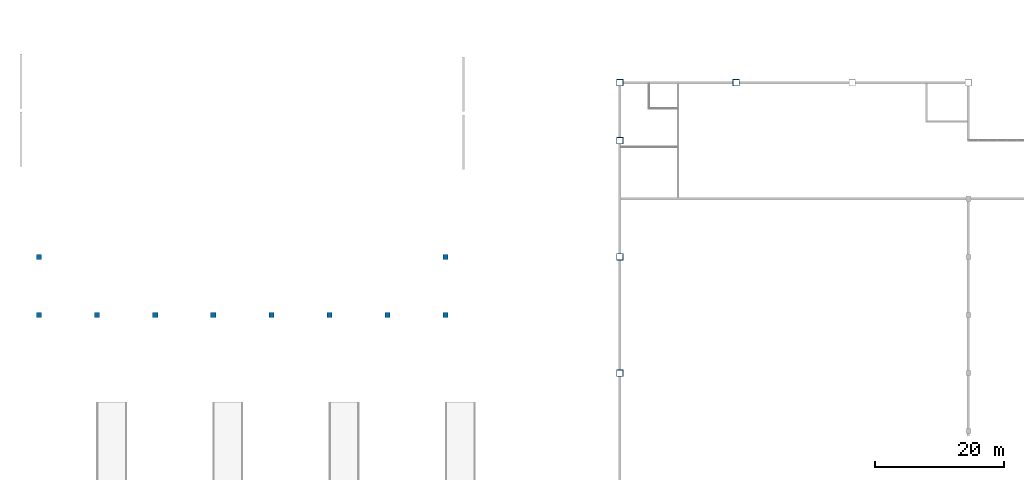
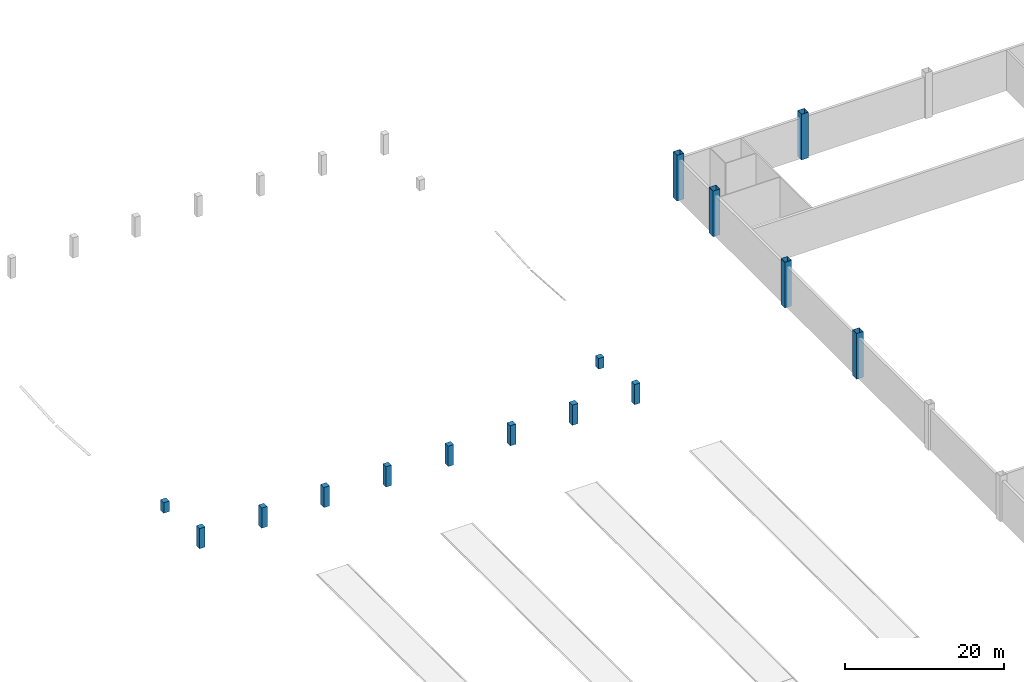
# One storey, part 2 of 85: 15 columns.
"""IFC4 building model written with IfcOpenShell, lengths in metres."""

from ifc_helpers import new_model, si_unit, direction, frame, origin, origin_2d, place, context, subcontext, project, spatial, rectangle, hollow_rectangle, extrude, material, material_profile, profile_set, type_object, element, save


model = new_model("IFC4")

# Units and contexts
model_context = context("Model", 3, precision=1e-05, world=origin(), true_north=direction((0.0, 1.0)))
body_context = subcontext(model_context, "Body", "Model", "MODEL_VIEW")
ifc_project = project(units=[si_unit("LENGTHUNIT", "METRE"), si_unit("AREAUNIT", "SQUARE_METRE"), si_unit("VOLUMEUNIT", "CUBIC_METRE"), si_unit("PLANEANGLEUNIT", "RADIAN"), si_unit("MASSUNIT", "GRAM", prefix="KILO")], contexts=[model_context])

# Site, building, storey
site_placement = place(None, origin())
site = spatial("IfcSite", under=ifc_project, at=site_placement, CompositionType="ELEMENT")
building_placement = place(site_placement, origin())
building = spatial("IfcBuilding", under=site, at=building_placement, Name="Opaline Strait Convention Centre", CompositionType="ELEMENT")
storey_placement = place(building_placement, frame((0.0, 0.0, 17.0)))
storey = spatial("IfcBuildingStorey", under=building, at=storey_placement, Name="L03", CompositionType="ELEMENT", Elevation=17.0)

# Columns
ifc_material_1 = material(Name="Steel Q355B", Category="steel")
ifc_material_profile_1 = material_profile(ifc_material_1, hollow_rectangle(XDim=1.0, YDim=1.0, WallThickness=0.031982421875, at=origin_2d()), Name="BOX 1000x1000x32")
ifc_profile_set_1 = profile_set([ifc_material_profile_1], Name="Steel Q355B")
column_type_1 = type_object("IfcColumnType", Name="CFT column BOX 1000x1000x32 C60 fill", PredefinedType="COLUMN", material=ifc_profile_set_1)
for number, where, z_axis, x_axis, name in (
    (1, (99.0, 108.0, 0.0), (0.0, 0.0, 1.0), (1.0, 0.0, 0.0), "Roof column XC-04"),
    (2, (99.0, 126.0, 0.0), (0.0, 0.0, 1.0), (1.0, 0.0, 0.0), "Roof column XC-05"),
    (3, (99.0, 144.0, 0.0), (0.0, 0.0, 1.0), (1.0, 0.0, 0.0), "Roof column XC-06"),
    (4, (99.0, 153.0, 0.0), (0.0, 0.0, 1.0), (1.0, 0.0, 0.0), "Roof column XC-07"),
    (5, (117.0, 153.0, 0.0), (0.0, 0.0, 1.0), (1.0, 0.0, 0.0), "Roof column XC-09"),
):
    element("IfcColumn", number, at=place(storey_placement, frame(where, z_axis=z_axis, x_axis=x_axis)), inside=storey, type_object=column_type_1, Name=name, ObjectType="XC1", PredefinedType="COLUMN", context=body_context, shape_type="SweptSolid", body=[
        extrude(hollow_rectangle(XDim=1.0, YDim=1.0, WallThickness=0.031982421875, at=origin_2d()), origin(), (0.0, 0.0, 1.0), 7.0),
    ])
ifc_material_2 = material(Name="Concrete C40", Category="concrete")
ifc_material_profile_2 = material_profile(ifc_material_2, rectangle(XDim=0.800048828125, YDim=0.800048828125, at=origin_2d()), Name="RC 800x800")
ifc_profile_set_2 = profile_set([ifc_material_profile_2], Name="Concrete C40")
column_type_2 = type_object("IfcColumnType", Name="RC column 800x800 C40", PredefinedType="COLUMN", material=ifc_profile_set_2)
for number, where, z_axis, x_axis, name in (
    (6, (9.0, 117.0, 0.0), (0.0, 0.0, 1.0), (1.0, 0.0, 0.0), "XC2 L02 at 2/P above L03"),
    (7, (18.0, 117.0, 0.0), (0.0, 0.0, 1.0), (1.0, 0.0, 0.0), "XC2 L02 at 3/P above L03"),
    (8, (27.0, 117.0, 0.0), (0.0, 0.0, 1.0), (1.0, 0.0, 0.0), "XC2 L02 at 4/P above L03"),
    (9, (36.0, 117.0, 0.0), (0.0, 0.0, 1.0), (1.0, 0.0, 0.0), "XC2 L02 at 5/P above L03"),
    (10, (45.0, 117.0, 0.0), (0.0, 0.0, 1.0), (1.0, 0.0, 0.0), "XC2 L02 at 6/P above L03"),
    (11, (54.0, 117.0, 0.0), (0.0, 0.0, 1.0), (1.0, 0.0, 0.0), "XC2 L02 at 7/P above L03"),
    (12, (63.0, 117.0, 0.0), (0.0, 0.0, 1.0), (1.0, 0.0, 0.0), "XC2 L02 at 8/P above L03"),
    (13, (72.0, 117.0, 0.0), (0.0, 0.0, 1.0), (1.0, 0.0, 0.0), "XC2 L02 at 9/P above L03"),
):
    element("IfcColumn", number, at=place(storey_placement, frame(where, z_axis=z_axis, x_axis=x_axis)), inside=storey, type_object=column_type_2, Name=name, PredefinedType="COLUMN", context=body_context, shape_type="SweptSolid", body=[
        extrude(rectangle(XDim=0.800048828125, YDim=0.800048828125, at=origin_2d()), origin(), (0.0, 0.0, 1.0), 3.10009765625),
    ])
for number, where, z_axis, x_axis, name in (
    (14, (9.0, 126.0, 0.0), (0.0, 0.0, 1.0), (1.0, 0.0, 0.0), "XC2 L02 at 2/Q above L03"),
    (15, (72.0, 126.0, 0.0), (0.0, 0.0, 1.0), (1.0, 0.0, 0.0), "XC2 L02 at 9/Q above L03"),
):
    element("IfcColumn", number, at=place(storey_placement, frame(where, z_axis=z_axis, x_axis=x_axis)), inside=storey, type_object=column_type_2, Name=name, PredefinedType="COLUMN", context=body_context, shape_type="SweptSolid", body=[
        extrude(rectangle(XDim=0.800048828125, YDim=0.800048828125, at=origin_2d()), origin(), (0.0, 0.0, 1.0), 1.611328125),
    ])

save(model, "model.ifc")
